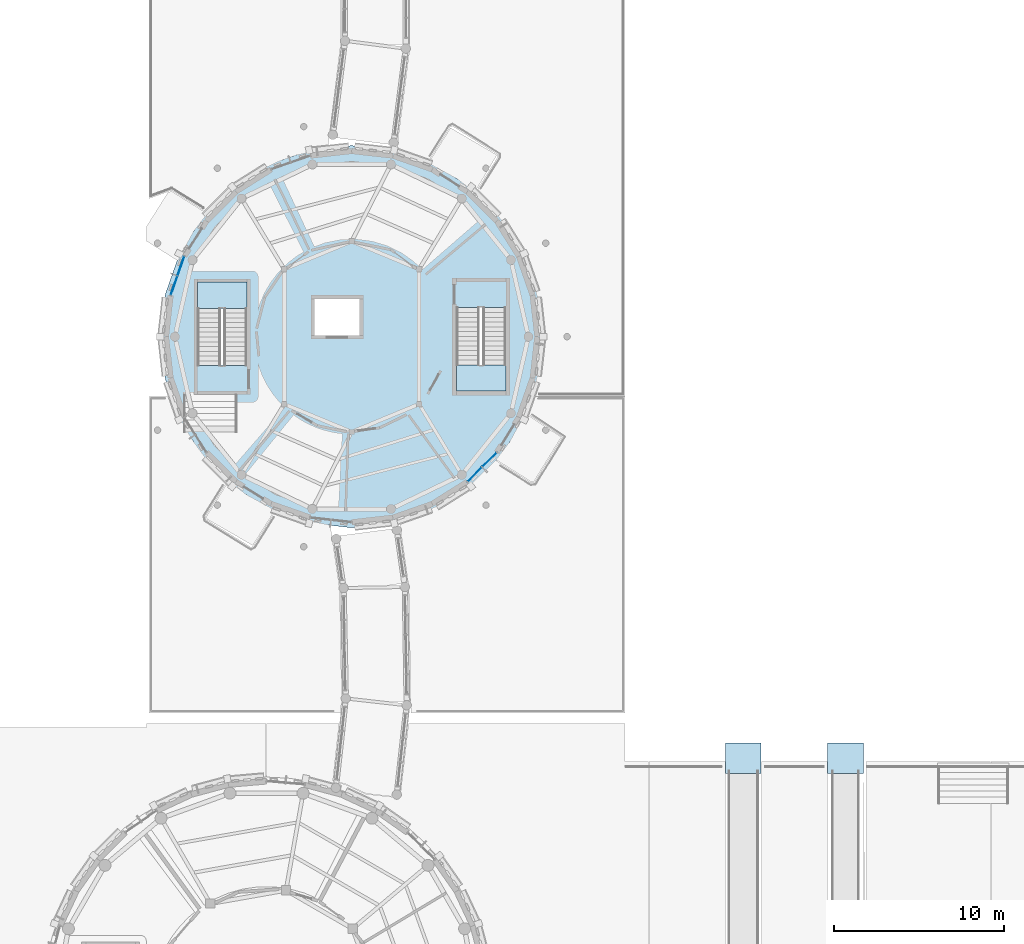
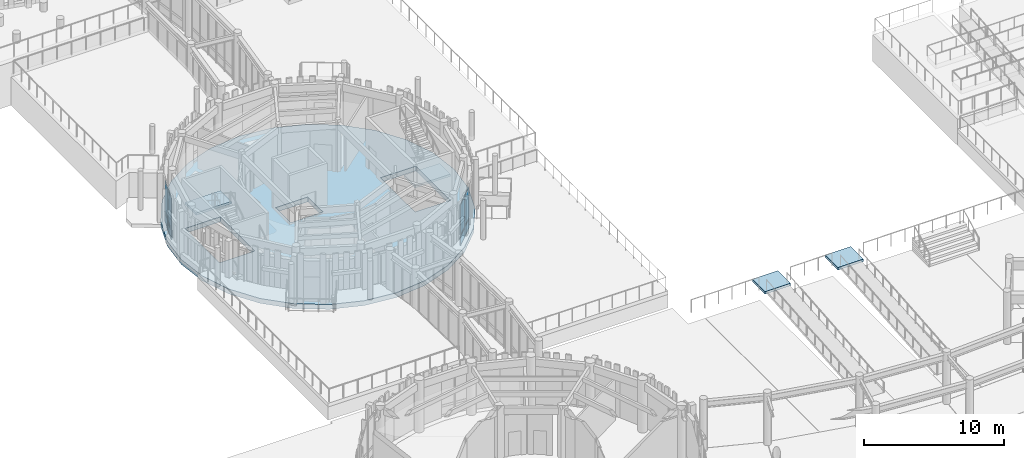
# One storey, part 34 of 94: 8 plates, 5 slabs, 4 elements without a shape of their own.
"""IFC4 building model written with IfcOpenShell, lengths in metres."""

from ifc_helpers import new_model, si_unit, direction, frame, origin, origin_2d, place, context, subcontext, project, spatial, polyline, rectangle, outline, extrude, material, layer, layer_set, type_object, element, aggregate, save


model = new_model("IFC4")

# Units and contexts
model_context = context("Model", 3, precision=1e-05, world=origin(), true_north=direction((0.0, 1.0)))
body_context = subcontext(model_context, "Body", "Model", "MODEL_VIEW")
ifc_project = project(units=[si_unit("LENGTHUNIT", "METRE"), si_unit("AREAUNIT", "SQUARE_METRE"), si_unit("VOLUMEUNIT", "CUBIC_METRE"), si_unit("PLANEANGLEUNIT", "RADIAN"), si_unit("MASSUNIT", "GRAM", prefix="KILO")], contexts=[model_context])

# Site, building, storey
site_placement = place(None, origin())
site = spatial("IfcSite", under=ifc_project, at=site_placement, CompositionType="ELEMENT")
building_placement = place(site_placement, origin())
building = spatial("IfcBuilding", under=site, at=building_placement, Name="Aldenvaro Health Centre", CompositionType="ELEMENT")
storey_placement = place(building_placement, origin())
storey = spatial("IfcBuildingStorey", under=building, at=storey_placement, Name="L00", CompositionType="ELEMENT", Elevation=0.0)

# Curtain wall, plates
ifc_material_1 = material(Name="Anodised Aluminium 6063-T6", Category="aluminium")
ifc_layer_1 = layer(ifc_material_1, 0.195068359375, Name="Anodised Aluminium 6063-T6", Category="aluminium")
ifc_layer_set_1 = layer_set([ifc_layer_1], Name="Anodised Aluminium 6063-T6")
curtain_wall_type = type_object("IfcCurtainWallType", Name="CW-CLN-02", PredefinedType="NOTDEFINED", material=ifc_layer_set_1)
curtain_wall_1_placement = place(storey_placement, origin())
curtain_wall_1 = element("IfcCurtainWall", 1, at=curtain_wall_1_placement, inside=storey, type_object=curtain_wall_type, Name="D3 L00 curtain wall bay 04", PredefinedType="NOTDEFINED")
ifc_material_2 = material(Name="Low-E Double Glazing IGU", Category="glass")
ifc_layer_2 = layer(ifc_material_2, 0.028076171875, Name="Low-E Double Glazing IGU", Category="glass")
ifc_layer_set_2 = layer_set([ifc_layer_2], Name="Low-E Double Glazing IGU")
plate_type_1 = type_object("IfcPlateType", Name="CWP-IGU-28", PredefinedType="CURTAIN_PANEL", material=ifc_layer_set_2)
plate_1_placement = place(storey_placement, frame((31.590087890625, 50.27294921875, 0.96044921875), z_axis=(0.0, 0.0, 1.0), x_axis=(-0.707106781187, -0.707106781187, 0.0)))
plate_1 = element("IfcPlate", 2, at=plate_1_placement, type_object=plate_type_1, Name="D3 L00 curtain wall bay 04 vision glazing 1", PredefinedType="CURTAIN_PANEL", context=body_context, shape_type="SweptSolid", body=[
    extrude(rectangle(XDim=1.14990234375, YDim=0.028076171875, at=origin_2d()), origin(), (0.0, 0.0, 1.0), 2.638916015625),
])
plate_2_placement = place(storey_placement, frame((30.72705078125, 49.409912109375, 0.96044921875), z_axis=(0.0, 0.0, 1.0), x_axis=(-0.707106781187, -0.707106781187, 0.0)))
plate_2 = element("IfcPlate", 3, at=plate_2_placement, type_object=plate_type_1, Name="D3 L00 curtain wall bay 04 vision glazing 2", PredefinedType="CURTAIN_PANEL", context=body_context, shape_type="SweptSolid", body=[
    extrude(rectangle(XDim=1.14990234375, YDim=0.028076171875, at=origin_2d()), origin(), (0.0, 0.0, 1.0), 2.638916015625),
])

curtain_wall_2_placement = place(storey_placement, origin())
curtain_wall_2 = element("IfcCurtainWall", 4, at=curtain_wall_2_placement, inside=storey, type_object=curtain_wall_type, Name="D3 L00 curtain wall bay 16", PredefinedType="NOTDEFINED")
plate_3_placement = place(storey_placement, frame((13.073974609375, 60.5009765625, 0.96044921875), z_axis=(0.0, 0.0, 1.0), x_axis=(0.330204431323, 0.943909441385, 0.0)))
plate_3 = element("IfcPlate", 5, at=plate_3_placement, type_object=plate_type_1, Name="D3 L00 curtain wall bay 16 vision glazing 1", PredefinedType="CURTAIN_PANEL", context=body_context, shape_type="SweptSolid", body=[
    extrude(rectangle(XDim=1.14990234375, YDim=0.028076171875, at=origin_2d()), origin(), (0.0, 0.0, 1.0), 2.638916015625),
])
plate_4_placement = place(storey_placement, frame((13.47705078125, 61.653076171875, 0.96044921875), z_axis=(0.0, 0.0, 1.0), x_axis=(0.330204431323, 0.943909441385, 0.0)))
plate_4 = element("IfcPlate", 6, at=plate_4_placement, type_object=plate_type_1, Name="D3 L00 curtain wall bay 16 vision glazing 2", PredefinedType="CURTAIN_PANEL", context=body_context, shape_type="SweptSolid", body=[
    extrude(rectangle(XDim=1.14990234375, YDim=0.028076171875, at=origin_2d()), origin(), (0.0, 0.0, 1.0), 2.638916015625),
])

# Plate
ifc_material_3 = material(Name="Insulated Aluminium Spandrel", Category="aluminium")
ifc_layer_3 = layer(ifc_material_3, 0.035888671875, Name="Insulated Aluminium Spandrel", Category="aluminium")
ifc_layer_set_3 = layer_set([ifc_layer_3], Name="Insulated Aluminium Spandrel")
plate_type_2 = type_object("IfcPlateType", Name="CWP-SPN-36", PredefinedType="CURTAIN_PANEL", material=ifc_layer_set_3)
plate_5_placement = place(storey_placement, frame((31.590087890625, 50.27294921875, 0.06005859375), z_axis=(0.0, 0.0, 1.0), x_axis=(-0.707106781187, -0.707106781187, 0.0)))
plate_5 = element("IfcPlate", 7, at=plate_5_placement, type_object=plate_type_2, Name="D3 L00 curtain wall bay 04 spandrel panel 1", PredefinedType="CURTAIN_PANEL", context=body_context, shape_type="SweptSolid", body=[
    extrude(rectangle(XDim=1.14990234375, YDim=0.035888671875, at=origin_2d()), origin(), (0.0, 0.0, 1.0), 0.780029296875),
])

plate_6_placement = place(storey_placement, frame((30.72705078125, 49.409912109375, 0.06005859375), z_axis=(0.0, 0.0, 1.0), x_axis=(-0.707106781187, -0.707106781187, 0.0)))
plate_6 = element("IfcPlate", 8, at=plate_6_placement, type_object=plate_type_2, Name="D3 L00 curtain wall bay 04 spandrel panel 2", PredefinedType="CURTAIN_PANEL", context=body_context, shape_type="SweptSolid", body=[
    extrude(rectangle(XDim=1.14990234375, YDim=0.035888671875, at=origin_2d()), origin(), (0.0, 0.0, 1.0), 0.780029296875),
])

aggregate(curtain_wall_1, [plate_5, plate_1, plate_6, plate_2])

plate_7_placement = place(storey_placement, frame((13.073974609375, 60.5009765625, 0.06005859375), z_axis=(0.0, 0.0, 1.0), x_axis=(0.330204431323, 0.943909441385, 0.0)))
plate_7 = element("IfcPlate", 9, at=plate_7_placement, type_object=plate_type_2, Name="D3 L00 curtain wall bay 16 spandrel panel 1", PredefinedType="CURTAIN_PANEL", context=body_context, shape_type="SweptSolid", body=[
    extrude(rectangle(XDim=1.14990234375, YDim=0.035888671875, at=origin_2d()), origin(), (0.0, 0.0, 1.0), 0.780029296875),
])

plate_8_placement = place(storey_placement, frame((13.47705078125, 61.653076171875, 0.06005859375), z_axis=(0.0, 0.0, 1.0), x_axis=(0.330204431323, 0.943909441385, 0.0)))
plate_8 = element("IfcPlate", 10, at=plate_8_placement, type_object=plate_type_2, Name="D3 L00 curtain wall bay 16 spandrel panel 2", PredefinedType="CURTAIN_PANEL", context=body_context, shape_type="SweptSolid", body=[
    extrude(rectangle(XDim=1.14990234375, YDim=0.035888671875, at=origin_2d()), origin(), (0.0, 0.0, 1.0), 0.780029296875),
])

aggregate(curtain_wall_2, [plate_7, plate_3, plate_8, plate_4])

# Slabs
ifc_material_4 = material(Name="Concrete f'c 40 MPa", Category="concrete")
ifc_layer_4 = layer(ifc_material_4, 0.219970703125, Name="Concrete f'c 40 MPa", Category="concrete")
ifc_layer_set_4 = layer_set([ifc_layer_4], Name="Concrete f'c 40 MPa")
slab_type_1 = type_object("IfcSlabType", Name="SLB-LND-190", PredefinedType="LANDING", material=ifc_layer_set_4)
slab_1_placement = place(storey_placement, frame((0.0, 0.0, 0.929931640625)))
element("IfcSlab", 11, at=slab_1_placement, inside=storey, type_object=slab_type_1, Name="Stepped Foothill Ramp 1 Arrival Landing", PredefinedType="LANDING", context=body_context, shape_type="SweptSolid", body=[
    extrude(outline(polyline([(45.449951171875, 31.85009765625), (47.550048828125, 31.85009765625), (47.550048828125, 33.64990234375), (45.449951171875, 33.64990234375), (45.449951171875, 31.85009765625)])), origin(), (0.0, 0.0, 1.0), 0.219970703125),
])
slab_2_placement = place(storey_placement, frame((0.0, 0.0, 0.929931640625)))
element("IfcSlab", 12, at=slab_2_placement, inside=storey, type_object=slab_type_1, Name="Stepped Foothill Ramp 2 Arrival Landing", PredefinedType="LANDING", context=body_context, shape_type="SweptSolid", body=[
    extrude(outline(polyline([(51.449951171875, 31.85009765625), (53.550048828125, 31.85009765625), (53.550048828125, 33.64990234375), (51.449951171875, 33.64990234375), (51.449951171875, 31.85009765625)])), origin(), (0.0, 0.0, 1.0), 0.219970703125),
])

# Stair, slab
stair_type = type_object("IfcStairType", Name="STR-DOG-455", PredefinedType="HALF_TURN_STAIR", material=ifc_material_4)
stair_1_placement = place(storey_placement, origin())
stair_1 = element("IfcStair", 13, at=stair_1_placement, inside=storey, type_object=stair_type, Name="L00 Exit Stair ST-05", PredefinedType="HALF_TURN_STAIR")
ifc_layer_5 = layer(ifc_material_4, 0.199951171875, Name="Concrete f'c 40 MPa", Category="concrete")
ifc_layer_set_5 = layer_set([ifc_layer_5], Name="Concrete f'c 40 MPa")
slab_type_2 = type_object("IfcSlabType", Name="SLB-LND-200", PredefinedType="LANDING", material=ifc_layer_set_5)
slab_3_placement = place(storey_placement, frame((0.0, 0.0, 2.074951171875)))
slab_3 = element("IfcSlab", 14, at=slab_3_placement, type_object=slab_type_2, Name="ST-05 landing 1", PredefinedType="LANDING", context=body_context, shape_type="SweptSolid", body=[
    extrude(outline(polyline([(29.64990234375, 55.840087890625), (29.64990234375, 54.300048828125), (32.550048828125, 54.300048828125), (32.550048828125, 55.840087890625), (29.64990234375, 55.840087890625)])), origin(), (0.0, 0.0, 1.0), 0.199951171875),
])
aggregate(stair_1, [slab_3])

stair_2_placement = place(storey_placement, origin())
stair_2 = element("IfcStair", 15, at=stair_2_placement, inside=storey, type_object=stair_type, Name="L00 Exit Stair ST-06", PredefinedType="HALF_TURN_STAIR")
slab_4_placement = place(storey_placement, frame((0.0, 0.0, 2.074951171875)))
slab_4 = element("IfcSlab", 16, at=slab_4_placement, type_object=slab_type_2, Name="ST-06 landing 1", PredefinedType="LANDING", context=body_context, shape_type="SweptSolid", body=[
    extrude(outline(polyline([(17.35009765625, 59.159912109375), (17.35009765625, 60.699951171875), (14.449951171875, 60.699951171875), (14.449951171875, 59.159912109375), (17.35009765625, 59.159912109375)])), origin(), (0.0, 0.0, 1.0), 0.199951171875),
])
aggregate(stair_2, [slab_4])

# Slab
ifc_layer_6 = layer(ifc_material_4, 0.4150390625, Name="Concrete f'c 40 MPa", Category="concrete")
ifc_layer_set_6 = layer_set([ifc_layer_6], Name="Concrete f'c 40 MPa")
slab_type_3 = type_object("IfcSlabType", Name="SLB-POD-320", PredefinedType="FLOOR", material=ifc_layer_set_6)
slab_5_placement = place(storey_placement, frame((0.0, 0.0, -0.4150390625)))
element("IfcSlab", 17, at=slab_5_placement, inside=storey, type_object=slab_type_3, Name="D3 L00 floor slab", PredefinedType="FLOOR", context=body_context, shape_type="SweptSolid", body=[
    extrude(outline(polyline([(34.719970703125, 57.5), (34.43896484375, 59.9970703125), (33.60888671875, 62.367919921875), (32.27197265625, 64.49609375), (30.49609375, 66.27197265625), (28.367919921875, 67.60888671875), (25.9970703125, 68.43896484375), (23.5, 68.719970703125), (21.0029296875, 68.43896484375), (18.632080078125, 67.60888671875), (16.50390625, 66.27197265625), (14.72802734375, 64.49609375), (13.39111328125, 62.367919921875), (12.56103515625, 59.9970703125), (12.280029296875, 57.5), (12.56103515625, 55.0029296875), (13.39111328125, 52.632080078125), (14.72802734375, 50.50390625), (16.50390625, 48.72802734375), (18.632080078125, 47.39111328125), (21.0029296875, 46.56103515625), (23.5, 46.280029296875), (25.9970703125, 46.56103515625), (28.367919921875, 47.39111328125), (30.49609375, 48.72802734375), (32.27197265625, 50.50390625), (33.60888671875, 52.632080078125), (34.43896484375, 55.0029296875), (34.719970703125, 57.5)]), holes=[polyline([(29.64990234375, 59.199951171875), (29.64990234375, 54.300048828125), (32.550048828125, 54.300048828125), (32.550048828125, 59.199951171875), (29.64990234375, 59.199951171875)]), polyline([(17.35009765625, 55.800048828125), (17.35009765625, 60.699951171875), (14.449951171875, 60.699951171875), (14.449951171875, 55.800048828125), (17.35009765625, 55.800048828125)]), polyline([(21.324951171875, 57.574951171875), (23.97509765625, 57.574951171875), (23.97509765625, 59.72509765625), (21.324951171875, 59.72509765625), (21.324951171875, 57.574951171875)])]), origin(), (0.0, 0.0, 1.0), 0.4150390625),
])

save(model, "model.ifc")
